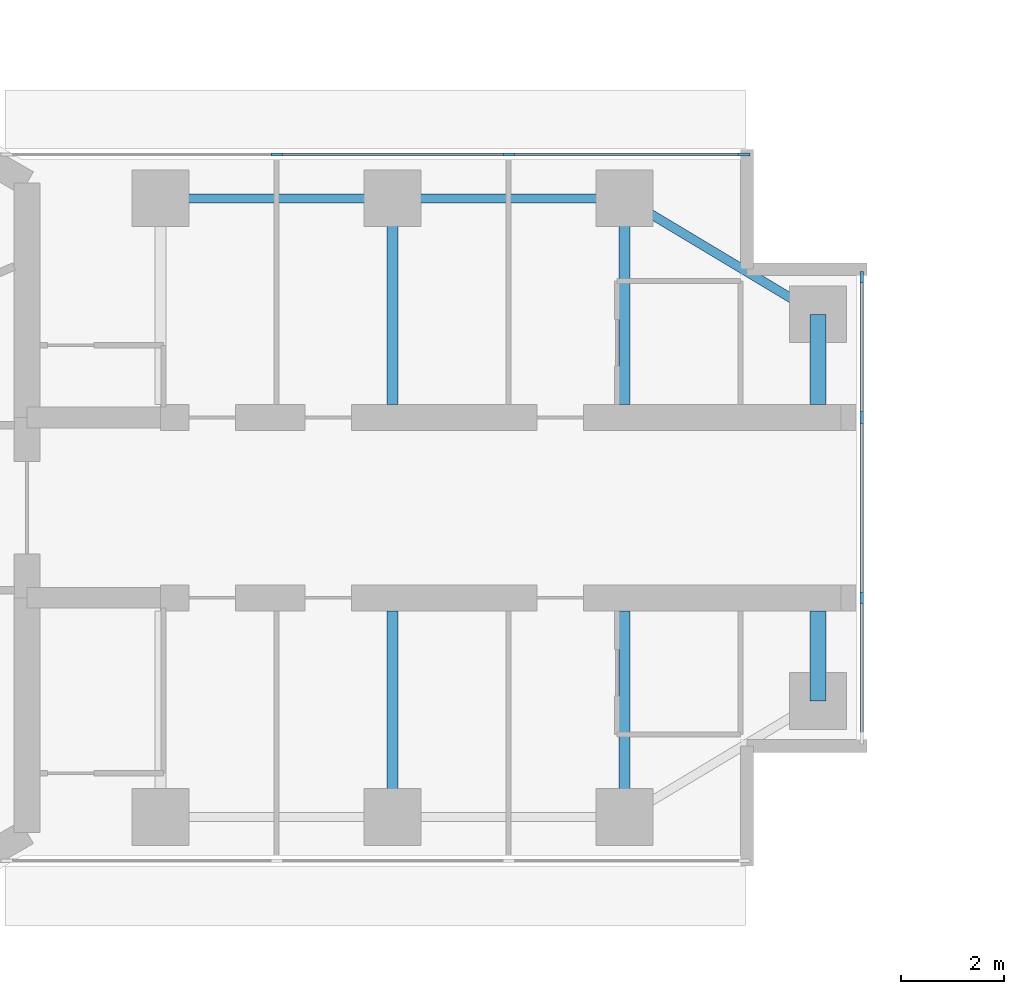
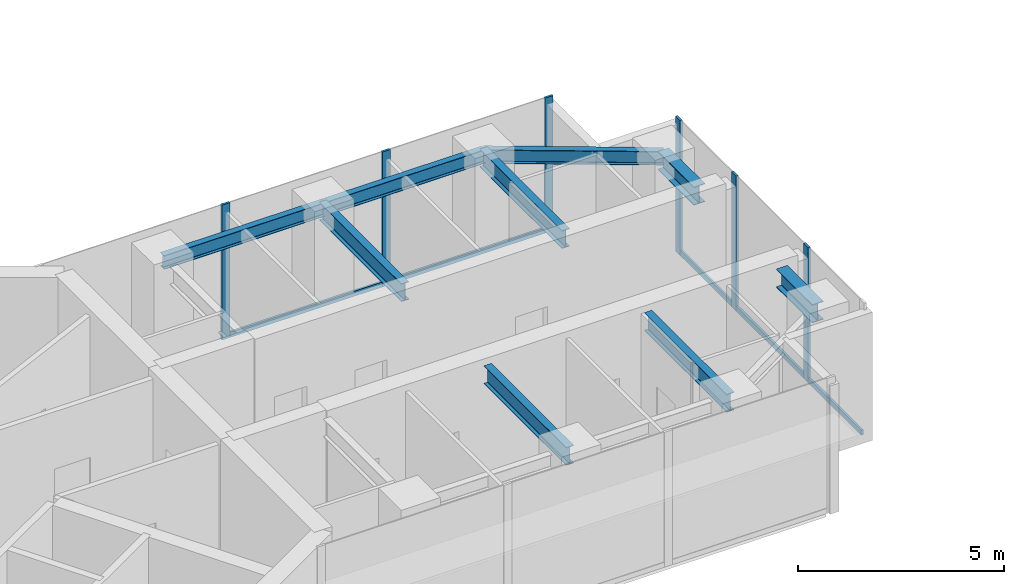
# One storey, part 7 of 18: 11 members, 9 beams, 2 elements without a shape of their own.
"""IFC4 building model written with IfcOpenShell, lengths in metres."""

import ifcopenshell
import ifcopenshell.guid

model = None  # the IFC model being written
_history = None  # IfcOwnerHistory: only IFC2X3 demands one
_inside = {}  # id of a spatial element -> (the spatial element, [elements in it])
_under = {}  # id of a project, library or spatial element -> (it, [spatial elements below it])
_declared = {}  # id of a project -> (the project, [libraries it declares])
_typed = {}  # id of a type object -> (the type object, [elements of that type])
_made_of = {}  # id of a material, layer set ... -> (it, [elements and type objects made of it])


def new_model(schema):
    """Start an empty IFC model of exactly this schema.

    Asked for "IFC4X3", IfcOpenShell would pick the latest addendum, in which some entities
    have other attributes; the version numbers below select the first issue.
    IFC2X3 requires an IfcOwnerHistory on every rooted entity: one is made here for all.
    """
    global model, _history
    if schema == "IFC4X3":
        model = ifcopenshell.file(schema_version=(4, 3, 0, 0))
    else:
        model = ifcopenshell.file(schema=schema)
    _inside.clear()
    _under.clear()
    _declared.clear()
    _typed.clear()
    _made_of.clear()
    _history = None
    if model.schema == "IFC2X3":
        org = make("IfcOrganization", Name="unknown")
        user = make(
            "IfcPersonAndOrganization",
            ThePerson=make("IfcPerson", FamilyName="unknown"),
            TheOrganization=org,
        )
        app = make(
            "IfcApplication",
            ApplicationDeveloper=org,
            Version="unknown",
            ApplicationFullName="unknown",
            ApplicationIdentifier="unknown",
        )
        _history = make(
            "IfcOwnerHistory",
            OwningUser=user,
            OwningApplication=app,
            ChangeAction="ADDED",
            CreationDate=0,
        )
    return model


def make(cls, **values):
    """One entity of the class cls with the attributes given. An attribute that is None is left unset."""
    return model.create_entity(
        cls, **{name: value for name, value in values.items() if value is not None}
    )


def rooted(cls, **values):
    """An entity with a GlobalId (a new one), such as an element, a storey or a relation."""
    return make(cls, GlobalId=ifcopenshell.guid.new(), OwnerHistory=_history, **values)


def si_unit(unit_type, name, prefix=None):
    """IfcSIUnit, for example si_unit("LENGTHUNIT", "METRE", prefix="MILLI")."""
    return make("IfcSIUnit", UnitType=unit_type, Prefix=prefix, Name=name)


def assignment(units):
    """IfcUnitAssignment: the units of a project."""
    return None if units is None else make("IfcUnitAssignment", Units=units)


def point(xyz):
    """IfcCartesianPoint."""
    return None if xyz is None else make("IfcCartesianPoint", Coordinates=xyz)


def direction(xyz):
    """IfcDirection."""
    return None if xyz is None else make("IfcDirection", DirectionRatios=xyz)


def frame(location, z_axis=None, x_axis=None):
    """IfcAxis2Placement3D, a coordinate frame: its origin and axes. An axis left out is left unset."""
    return make(
        "IfcAxis2Placement3D",
        Location=point(location),
        Axis=direction(z_axis),
        RefDirection=direction(x_axis),
    )


def frame_2d(location, x_axis=None):
    """IfcAxis2Placement2D, a coordinate frame in the plane: its origin and x axis."""
    return make(
        "IfcAxis2Placement2D", Location=point(location), RefDirection=direction(x_axis)
    )


def origin():
    """The frame at (0, 0, 0) with its axes left unset."""
    return frame((0.0, 0.0, 0.0))


def origin_2d():
    """The frame at (0, 0) in the plane with its x axis left unset."""
    return frame_2d((0.0, 0.0))


def place(relative_to, where):
    """IfcLocalPlacement: puts the frame where relative to a parent placement (None: the world)."""
    return make(
        "IfcLocalPlacement", PlacementRelTo=relative_to, RelativePlacement=where
    )


def context(
    kind, dimensions, precision=None, world=None, true_north=None, identifier=None
):
    """IfcGeometricRepresentationContext, for example the 3D "Model" context."""
    return make(
        "IfcGeometricRepresentationContext",
        ContextIdentifier=identifier,
        ContextType=kind,
        CoordinateSpaceDimension=dimensions,
        Precision=precision,
        WorldCoordinateSystem=world,
        TrueNorth=true_north,
    )


def subcontext(parent, identifier, kind, view, scale=None):
    """IfcGeometricRepresentationSubContext, for example "Body" below "Model"."""
    return make(
        "IfcGeometricRepresentationSubContext",
        ContextIdentifier=identifier,
        ContextType=kind,
        ParentContext=parent,
        TargetScale=scale,
        TargetView=view,
    )


def project(units=None, contexts=None):
    """IfcProject with its units and contexts."""
    return rooted(
        "IfcProject",
        Name="project",
        RepresentationContexts=contexts,
        UnitsInContext=assignment(units),
    )


def spatial(cls, under=None, at=None, **own):
    """A site, building, storey or space (cls), placed at a placement, below another one or the project."""
    s = rooted(cls, ObjectPlacement=at, **own)
    if under is not None:
        _under.setdefault(under.id(), (under, []))[1].append(s)
    return s


def profile(cls, at=None, kind="AREA", **sizes):
    """A parametric profile (cls). Its sizes go by their IFC names, for example OverallWidth=200.0."""
    return make(cls, ProfileType=kind, Position=at, **sizes)


def rectangle(**sizes):
    """IfcRectangleProfileDef."""
    return profile("IfcRectangleProfileDef", **sizes)


def i_section(**sizes):
    """IfcIShapeProfileDef."""
    return profile("IfcIShapeProfileDef", **sizes)


def extrude(swept, where, along, depth):
    """IfcExtrudedAreaSolid: the profile swept, set in the frame where, extruded along a direction by depth."""
    return make(
        "IfcExtrudedAreaSolid",
        SweptArea=swept,
        Position=where,
        ExtrudedDirection=direction(along),
        Depth=depth,
    )


def shape(context_of_items, identifier, shape_type, items):
    """IfcShapeRepresentation: the items that make up one representation, for example the "Body"."""
    return make(
        "IfcShapeRepresentation",
        ContextOfItems=context_of_items,
        RepresentationIdentifier=identifier,
        RepresentationType=shape_type,
        Items=items,
    )


def material(Name=None, Category=None):
    """IfcMaterial."""
    return make("IfcMaterial", Name=Name, Category=Category)


def material_profile(
    of_material, cross_section, Name=None, Category=None, Priority=None
):
    """IfcMaterialProfile: a cross section and its material."""
    return make(
        "IfcMaterialProfile",
        Name=Name,
        Material=of_material,
        Profile=cross_section,
        Priority=Priority,
        Category=Category,
    )


def profile_set(profiles, Name=None, composite=None):
    """IfcMaterialProfileSet."""
    return make(
        "IfcMaterialProfileSet",
        Name=Name,
        MaterialProfiles=profiles,
        CompositeProfile=composite,
    )


def made_of(thing, what):
    """Note that an element or type object is made of a material, layer set ...; save() writes the relation."""
    if what is not None:
        _made_of.setdefault(what.id(), (what, []))[1].append(thing)
    return thing


def type_object(cls, material=None, **own):
    """A type object (cls), such as IfcWallType, which elements share."""
    return made_of(rooted(cls, **own), material)


def element(
    cls,
    number,
    at=None,
    inside=None,
    cuts=None,
    type_object=None,
    material=None,
    context=None,
    identifier="Body",
    shape_type=None,
    held_by="IfcProductDefinitionShape",
    body=None,
    shapes=None,
    **own,
):
    """One element of the class cls, such as IfcWall. Its Tag is "e" and its number.

    at: its placement. inside: the storey or other place that contains it. cuts: it is an
    opening in that element (IfcRelVoidsElement). A single representation is given by context,
    identifier, shape_type and body (its items); several are given by shapes. held_by: the class
    of the entity that holds the representations. save() writes the other relations.
    """
    e = rooted(cls, Tag="e%d" % number, ObjectPlacement=at, **own)
    if body is not None:
        shapes = [shape(context, identifier, shape_type, body)]
    if shapes is not None:
        e.Representation = make(held_by, Representations=shapes)
    if inside is not None:
        _inside.setdefault(inside.id(), (inside, []))[1].append(e)
    if cuts is not None:
        rooted(
            "IfcRelVoidsElement", RelatingBuildingElement=cuts, RelatedOpeningElement=e
        )
    if type_object is not None:
        _typed.setdefault(type_object.id(), (type_object, []))[1].append(e)
    return made_of(e, material)


def aggregate(whole, parts):
    """IfcRelAggregates: a whole, such as a stair, and the parts it consists of."""
    return rooted("IfcRelAggregates", RelatingObject=whole, RelatedObjects=parts)


def save(model, path):
    """Write the relations noted so far, then the file.

    IfcRelAggregates (storeys below a building ...), IfcRelContainedInSpatialStructure (elements
    in a storey), IfcRelDefinesByType, IfcRelAssociatesMaterial and IfcRelDeclares: one each for
    every whole, place, type object, material and project.
    """
    for whole, parts in _under.values():
        aggregate(whole, parts)
    for where, things in _inside.values():
        rooted(
            "IfcRelContainedInSpatialStructure",
            RelatedElements=things,
            RelatingStructure=where,
        )
    for kind, things in _typed.values():
        rooted("IfcRelDefinesByType", RelatedObjects=things, RelatingType=kind)
    for what, things in _made_of.values():
        rooted("IfcRelAssociatesMaterial", RelatedObjects=things, RelatingMaterial=what)
    for by, libraries in _declared.values():
        rooted("IfcRelDeclares", RelatingContext=by, RelatedDefinitions=libraries)
    model.write(path)


model = new_model("IFC4")

# Units and contexts
model_context = context("Model", 3, precision=1e-05, world=origin(), true_north=direction((0.0, 1.0)))
body_context = subcontext(model_context, "Body", "Model", "MODEL_VIEW")
ifc_project = project(units=[si_unit("LENGTHUNIT", "METRE"), si_unit("AREAUNIT", "SQUARE_METRE"), si_unit("VOLUMEUNIT", "CUBIC_METRE"), si_unit("PLANEANGLEUNIT", "RADIAN"), si_unit("MASSUNIT", "GRAM", prefix="KILO")], contexts=[model_context])

# Site, building, storey
site_placement = place(None, origin())
site = spatial("IfcSite", under=ifc_project, at=site_placement, CompositionType="ELEMENT")
building_placement = place(site_placement, origin())
building = spatial("IfcBuilding", under=site, at=building_placement, Name="Upepo Twin Towers", CompositionType="ELEMENT")
storey_placement = place(building_placement, frame((0.0, 0.0, 226.5)))
storey = spatial("IfcBuildingStorey", under=building, at=storey_placement, Name="L55", CompositionType="ELEMENT", Elevation=226.5)

# Beams
ifc_material_1 = material(Name="Steel S355", Category="steel")
ifc_material_profile_1 = material_profile(ifc_material_1, i_section(OverallWidth=0.177978515625, OverallDepth=0.406494140625, WebThickness=0.0078125, FlangeThickness=0.0126953125, FilletRadius=0.01025390625, at=origin_2d()), Name="UB 406x178x60")
ifc_profile_set_1 = profile_set([ifc_material_profile_1], Name="Steel S355")
beam_type_1 = type_object("IfcBeamType", Name="Beam UB 406x178x60", PredefinedType="BEAM", material=ifc_profile_set_1)
for number, where, z_axis, x_axis, name in (
    (1, (13.5, 6.0, 3.5966796875), (1.0, 0.0, 0.0), (0.0, 1.0, 0.0), "T1 edge beam AL 13.5-18.0"),
    (2, (18.0, 6.0, 3.5966796875), (1.0, 0.0, 0.0), (0.0, 1.0, 0.0), "T1 edge beam AL 18.0-22.5"),
):
    element("IfcBeam", number, at=place(storey_placement, frame(where, z_axis=z_axis, x_axis=x_axis)), inside=storey, type_object=beam_type_1, Name=name, PredefinedType="BEAM", context=body_context, shape_type="SweptSolid", body=[
        extrude(i_section(OverallWidth=0.177978515625, OverallDepth=0.406494140625, WebThickness=0.0078125, FlangeThickness=0.0126953125, FilletRadius=0.01025390625, at=origin_2d()), origin(), (0.0, 0.0, 1.0), 4.5),
    ])
beam_placement = place(storey_placement, frame((22.5, 6.0, 3.5966796875), z_axis=(0.857492925713, -0.514495755428, 0.0), x_axis=(0.514495755428, 0.857492925713, 0.0)))
element("IfcBeam", 3, at=beam_placement, inside=storey, type_object=beam_type_1, Name="T1 nose edge beam AL", PredefinedType="BEAM", context=body_context, shape_type="SweptSolid", body=[
    extrude(i_section(OverallWidth=0.177978515625, OverallDepth=0.406494140625, WebThickness=0.0078125, FlangeThickness=0.0126953125, FilletRadius=0.01025390625, at=origin_2d()), origin(), (0.0, 0.0, 1.0), 4.373291015625),
])
ifc_material_2 = material(Name="Steel S355", Category="steel")
ifc_material_profile_2 = material_profile(ifc_material_2, i_section(OverallWidth=0.209228515625, OverallDepth=0.533203125, WebThickness=0.010009765625, FlangeThickness=0.015625, FilletRadius=0.0126953125, at=origin_2d()), Name="UB 533x210x92")
ifc_profile_set_2 = profile_set([ifc_material_profile_2], Name="Steel S355")
beam_type_2 = type_object("IfcBeamType", Name="Beam UB 533x210x92", PredefinedType="BEAM", material=ifc_profile_set_2)
for number, where, z_axis, x_axis, name in (
    (4, (18.0, 6.0, 3.533447265625), (0.0, -1.0, 0.0), (1.0, 0.0, 0.0), "T1 girder AL at 18.0"),
    (5, (22.5, 6.0, 3.533447265625), (0.0, -1.0, 0.0), (1.0, 0.0, 0.0), "T1 girder AL at 22.5"),
    (6, (18.0, -6.0, 3.533447265625), (0.0, 1.0, 0.0), (-1.0, 0.0, 0.0), "T1 girder AR at 18.0"),
    (7, (22.5, -6.0, 3.533447265625), (0.0, 1.0, 0.0), (-1.0, 0.0, 0.0), "T1 girder AR at 22.5"),
):
    element("IfcBeam", number, at=place(storey_placement, frame(where, z_axis=z_axis, x_axis=x_axis)), inside=storey, type_object=beam_type_2, Name=name, PredefinedType="BEAM", context=body_context, shape_type="SweptSolid", body=[
        extrude(i_section(OverallWidth=0.209228515625, OverallDepth=0.533203125, WebThickness=0.010009765625, FlangeThickness=0.015625, FilletRadius=0.0126953125, at=origin_2d()), origin(), (0.0, 0.0, 1.0), 4.0),
    ])
ifc_material_3 = material(Name="Steel S355", Category="steel")
ifc_material_profile_3 = material_profile(ifc_material_3, i_section(OverallWidth=0.31201171875, OverallDepth=0.54345703125, WebThickness=0.0126953125, FlangeThickness=0.020263671875, FilletRadius=0.0126953125, at=origin_2d()), Name="UB 533x312x150")
ifc_profile_set_3 = profile_set([ifc_material_profile_3], Name="Steel S355")
beam_type_3 = type_object("IfcBeamType", Name="Beam UB 533x312x150", PredefinedType="BEAM", material=ifc_profile_set_3)
for number, where, z_axis, x_axis, name in (
    (8, (26.25, 3.75, 3.5283203125), (0.0, -1.0, 0.0), (1.0, 0.0, 0.0), "T1 nose beam AL"),
    (9, (26.25, -3.75, 3.5283203125), (0.0, 1.0, 0.0), (-1.0, 0.0, 0.0), "T1 nose beam AR"),
):
    element("IfcBeam", number, at=place(storey_placement, frame(where, z_axis=z_axis, x_axis=x_axis)), inside=storey, type_object=beam_type_3, Name=name, PredefinedType="BEAM", context=body_context, shape_type="SweptSolid", body=[
        extrude(i_section(OverallWidth=0.31201171875, OverallDepth=0.54345703125, WebThickness=0.0126953125, FlangeThickness=0.020263671875, FilletRadius=0.0126953125, at=origin_2d()), origin(), (0.0, 0.0, 1.0), 1.75),
    ])

# Curtain wall, members
ifc_material_4 = material(Name="Aluminium and fritted glass", Category="aluminium")
curtain_wall_type = type_object("IfcCurtainWallType", Name="Tower curtain wall TW3, fritted glass", PredefinedType="NOTDEFINED", material=ifc_material_4)
curtain_wall_1_placement = place(storey_placement, origin())
curtain_wall_1 = element("IfcCurtainWall", 10, at=curtain_wall_1_placement, inside=storey, type_object=curtain_wall_type, Name="T1 L55 wing A flank L curtain wall", PredefinedType="NOTDEFINED")
ifc_material_5 = material(Name="Aluminium mullion", Category="aluminium")
ifc_material_profile_4 = material_profile(ifc_material_5, rectangle(XDim=0.06494140625, YDim=0.22509765625, at=origin_2d()), Name="MULLION 65x225")
ifc_profile_set_4 = profile_set([ifc_material_profile_4], Name="Aluminium mullion")
member_type_1 = type_object("IfcMemberType", Name="Mullion 65x225 TW3", PredefinedType="MULLION", material=ifc_profile_set_4)
member_1_placement = place(storey_placement, frame((15.75, 6.85009765625, 0.0), z_axis=(0.0, 0.0, 1.0), x_axis=(0.0, 1.0, 0.0)))
member_1 = element("IfcMember", 11, at=member_1_placement, type_object=member_type_1, Name="T1 L55 wing A flank L curtain wall mullion 2", PredefinedType="MULLION", context=body_context, shape_type="SweptSolid", body=[
    extrude(rectangle(XDim=0.06494140625, YDim=0.22509765625, at=origin_2d()), origin(), (0.0, 0.0, 1.0), 4.0),
])
member_2_placement = place(storey_placement, frame((20.25, 6.85009765625, 0.0), z_axis=(0.0, 0.0, 1.0), x_axis=(0.0, 1.0, 0.0)))
member_2 = element("IfcMember", 12, at=member_2_placement, type_object=member_type_1, Name="T1 L55 wing A flank L curtain wall mullion 3", PredefinedType="MULLION", context=body_context, shape_type="SweptSolid", body=[
    extrude(rectangle(XDim=0.06494140625, YDim=0.22509765625, at=origin_2d()), origin(), (0.0, 0.0, 1.0), 4.0),
])
member_3_placement = place(storey_placement, frame((24.8173828125, 6.85009765625, 0.0), z_axis=(0.0, 0.0, 1.0), x_axis=(0.0, 1.0, 0.0)))
member_3 = element("IfcMember", 13, at=member_3_placement, type_object=member_type_1, Name="T1 L55 wing A flank L curtain wall mullion 4", PredefinedType="MULLION", context=body_context, shape_type="SweptSolid", body=[
    extrude(rectangle(XDim=0.06494140625, YDim=0.22509765625, at=origin_2d()), origin(), (0.0, 0.0, 1.0), 4.0),
])

curtain_wall_2_placement = place(storey_placement, origin())
curtain_wall_2 = element("IfcCurtainWall", 14, at=curtain_wall_2_placement, inside=storey, type_object=curtain_wall_type, Name="T1 L55 wing A nose curtain wall", PredefinedType="NOTDEFINED")
member_4_placement = place(storey_placement, frame((27.10009765625, -1.75, 0.0), z_axis=(0.0, 0.0, 1.0), x_axis=(-1.0, 0.0, 0.0)))
member_4 = element("IfcMember", 15, at=member_4_placement, type_object=member_type_1, Name="T1 L55 wing A nose curtain wall mullion 2", PredefinedType="MULLION", context=body_context, shape_type="SweptSolid", body=[
    extrude(rectangle(XDim=0.06494140625, YDim=0.22509765625, at=origin_2d()), origin(), (0.0, 0.0, 1.0), 4.0),
])
member_5_placement = place(storey_placement, frame((27.10009765625, 1.75, 0.0), z_axis=(0.0, 0.0, 1.0), x_axis=(-1.0, 0.0, 0.0)))
member_5 = element("IfcMember", 16, at=member_5_placement, type_object=member_type_1, Name="T1 L55 wing A nose curtain wall mullion 3", PredefinedType="MULLION", context=body_context, shape_type="SweptSolid", body=[
    extrude(rectangle(XDim=0.06494140625, YDim=0.22509765625, at=origin_2d()), origin(), (0.0, 0.0, 1.0), 4.0),
])
member_6_placement = place(storey_placement, frame((27.10009765625, 4.467529296875, 0.0), z_axis=(0.0, 0.0, 1.0), x_axis=(-1.0, 0.0, 0.0)))
member_6 = element("IfcMember", 17, at=member_6_placement, type_object=member_type_1, Name="T1 L55 wing A nose curtain wall mullion 4", PredefinedType="MULLION", context=body_context, shape_type="SweptSolid", body=[
    extrude(rectangle(XDim=0.06494140625, YDim=0.22509765625, at=origin_2d()), origin(), (0.0, 0.0, 1.0), 4.0),
])

# Member
ifc_material_6 = material(Name="Aluminium transom", Category="aluminium")
ifc_material_profile_5 = material_profile(ifc_material_6, rectangle(XDim=0.06494140625, YDim=0.14990234375, at=origin_2d()), Name="TRANSOM 65x150")
ifc_profile_set_5 = profile_set([ifc_material_profile_5], Name="Aluminium transom")
member_type_2 = type_object("IfcMemberType", Name="Transom 65x150 TW3", PredefinedType="USERDEFINED", material=ifc_profile_set_5)
member_7_placement = place(storey_placement, frame((15.782470703125, 6.85009765625, 0.074951171875), z_axis=(1.0, 0.0, 0.0), x_axis=(0.0, 1.0, 0.0)))
member_7 = element("IfcMember", 18, at=member_7_placement, type_object=member_type_2, Name="T1 L55 wing A flank L curtain wall transom 2", ObjectType="TRANSOM", PredefinedType="USERDEFINED", context=body_context, shape_type="SweptSolid", body=[
    extrude(rectangle(XDim=0.06494140625, YDim=0.14990234375, at=origin_2d()), origin(), (0.0, 0.0, 1.0), 4.43505859375),
])

member_8_placement = place(storey_placement, frame((20.282470703125, 6.85009765625, 0.074951171875), z_axis=(1.0, 0.0, 0.0), x_axis=(0.0, 1.0, 0.0)))
member_8 = element("IfcMember", 19, at=member_8_placement, type_object=member_type_2, Name="T1 L55 wing A flank L curtain wall transom 3", ObjectType="TRANSOM", PredefinedType="USERDEFINED", context=body_context, shape_type="SweptSolid", body=[
    extrude(rectangle(XDim=0.06494140625, YDim=0.14990234375, at=origin_2d()), origin(), (0.0, 0.0, 1.0), 4.50244140625),
])

aggregate(curtain_wall_1, [member_1, member_2, member_3, member_7, member_8])

member_9_placement = place(storey_placement, frame((27.10009765625, -4.43505859375, 0.074951171875), z_axis=(0.0, 1.0, 0.0), x_axis=(-1.0, 0.0, 0.0)))
member_9 = element("IfcMember", 20, at=member_9_placement, type_object=member_type_2, Name="T1 L55 wing A nose curtain wall transom 1", ObjectType="TRANSOM", PredefinedType="USERDEFINED", context=body_context, shape_type="SweptSolid", body=[
    extrude(rectangle(XDim=0.06494140625, YDim=0.14990234375, at=origin_2d()), origin(), (0.0, 0.0, 1.0), 2.652587890625),
])

member_10_placement = place(storey_placement, frame((27.10009765625, -1.717529296875, 0.074951171875), z_axis=(0.0, 1.0, 0.0), x_axis=(-1.0, 0.0, 0.0)))
member_10 = element("IfcMember", 21, at=member_10_placement, type_object=member_type_2, Name="T1 L55 wing A nose curtain wall transom 2", ObjectType="TRANSOM", PredefinedType="USERDEFINED", context=body_context, shape_type="SweptSolid", body=[
    extrude(rectangle(XDim=0.06494140625, YDim=0.14990234375, at=origin_2d()), origin(), (0.0, 0.0, 1.0), 3.43505859375),
])

member_11_placement = place(storey_placement, frame((27.10009765625, 1.782470703125, 0.074951171875), z_axis=(0.0, 1.0, 0.0), x_axis=(-1.0, 0.0, 0.0)))
member_11 = element("IfcMember", 22, at=member_11_placement, type_object=member_type_2, Name="T1 L55 wing A nose curtain wall transom 3", ObjectType="TRANSOM", PredefinedType="USERDEFINED", context=body_context, shape_type="SweptSolid", body=[
    extrude(rectangle(XDim=0.06494140625, YDim=0.14990234375, at=origin_2d()), origin(), (0.0, 0.0, 1.0), 2.652587890625),
])

aggregate(curtain_wall_2, [member_4, member_5, member_6, member_9, member_10, member_11])

save(model, "model.ifc")
